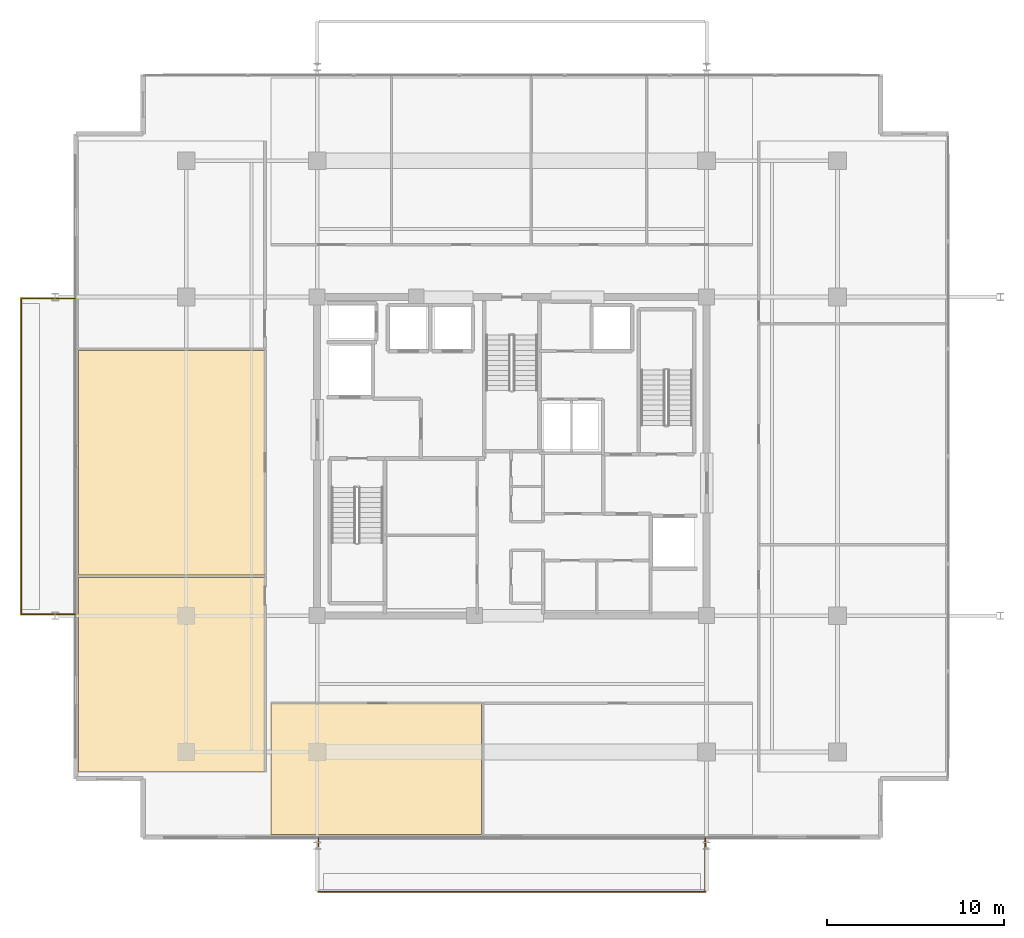
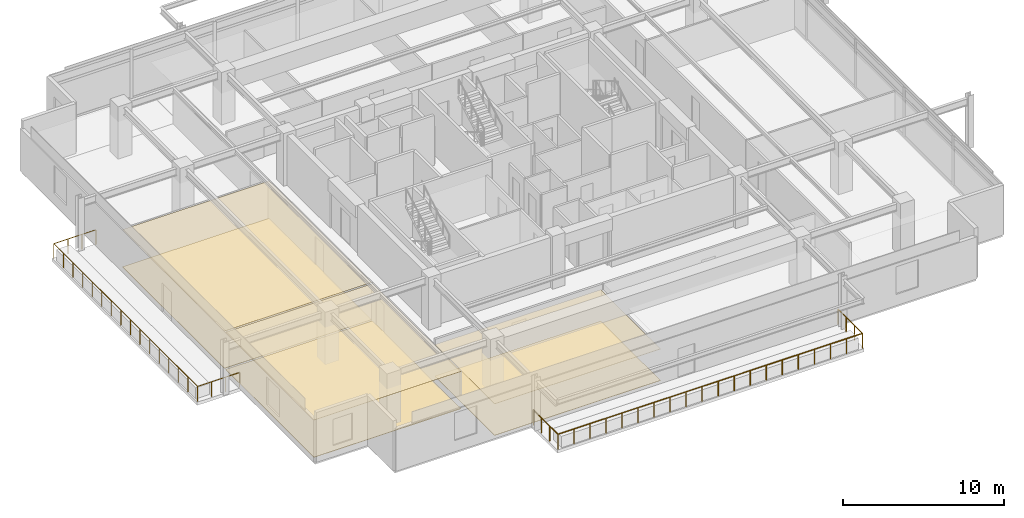
# One storey, part 18 of 21: 6 coverings, 2 railings.
"""IFC4 building model written with IfcOpenShell, lengths in metres."""

from ifc_helpers import new_model, si_unit, direction, frame, origin, origin_2d, place, context, subcontext, project, spatial, polyline, circle, outline, extrude, material, layer, layer_set, type_object, element, save


model = new_model("IFC4")

# Units and contexts
model_context = context("Model", 3, precision=1e-05, world=origin(), true_north=direction((0.0, 1.0)))
body_context = subcontext(model_context, "Body", "Model", "MODEL_VIEW")
ifc_project = project(units=[si_unit("LENGTHUNIT", "METRE"), si_unit("AREAUNIT", "SQUARE_METRE"), si_unit("VOLUMEUNIT", "CUBIC_METRE"), si_unit("PLANEANGLEUNIT", "RADIAN"), si_unit("MASSUNIT", "GRAM", prefix="KILO")], contexts=[model_context])

# Site, building, storey
site_placement = place(None, origin())
site = spatial("IfcSite", under=ifc_project, at=site_placement, CompositionType="ELEMENT")
building_placement = place(site_placement, origin())
building = spatial("IfcBuilding", under=site, at=building_placement, Name="Kovane Verandah Tower", CompositionType="ELEMENT")
storey_placement = place(building_placement, frame((0.0, 0.0, 314.800048828125)))
storey = spatial("IfcBuildingStorey", under=building, at=storey_placement, Name="L73", CompositionType="ELEMENT", Elevation=314.800048828125)

# Coverings
ifc_material_1 = material(Name="Perforated Acoustic Mineral-Fibre Ceiling Tile", Category="gypsum")
ifc_layer_1 = layer(ifc_material_1, 0.02490234375)
ifc_layer_set_1 = layer_set([ifc_layer_1], Name="Perforated Acoustic Mineral-Fibre Ceiling Tile")
covering_type_1 = type_object("IfcCoveringType", Name="CV-CEIL-25", PredefinedType="CEILING", material=ifc_layer_set_1)
covering_1_placement = place(storey_placement, frame((0.0, 0.0, 2.389892578125)))
element("IfcCovering", 1, at=covering_1_placement, inside=storey, type_object=covering_type_1, Name="L73 Collaboration Hub S1 Acoustic Ceiling", PredefinedType="CEILING", context=body_context, shape_type="SweptSolid", body=[
    extrude(outline(polyline([(26.39990234375, 6.1318359375), (38.298095703125, 6.1318359375), (38.298095703125, 13.550048828125), (26.39990234375, 13.550048828125), (26.39990234375, 6.1318359375)])), origin(), (0.0, 0.0, 1.0), 0.025146484375),
])
covering_2_placement = place(storey_placement, frame((0.0, 0.0, 2.824951171875)))
element("IfcCovering", 2, at=covering_2_placement, inside=storey, type_object=covering_type_1, Name="L73 Open Plan Office W1 Acoustic Ceiling", PredefinedType="CEILING", context=body_context, shape_type="SweptSolid", body=[
    extrude(outline(polyline([(15.513671875, 9.681884765625), (26.050048828125, 9.681884765625), (26.050048828125, 20.6591796875), (15.513671875, 20.6591796875), (15.513671875, 9.681884765625)])), origin(), (0.0, 0.0, 1.0), 0.02490234375),
])
covering_3_placement = place(storey_placement, frame((0.0, 0.0, 2.824951171875)))
element("IfcCovering", 3, at=covering_3_placement, inside=storey, type_object=covering_type_1, Name="L73 Executive Office W2 Acoustic Ceiling", PredefinedType="CEILING", context=body_context, shape_type="SweptSolid", body=[
    extrude(outline(polyline([(15.513671875, 20.799072265625), (26.050048828125, 20.799072265625), (26.050048828125, 33.48828125), (15.513671875, 33.48828125), (15.513671875, 20.799072265625)])), origin(), (0.0, 0.0, 1.0), 0.02490234375),
])
ifc_material_2 = material(Name="Polished Terrazzo and Raised-Access Carpet Tile Finish", Category="concrete")
ifc_layer_2 = layer(ifc_material_2, 0.030029296875)
ifc_layer_set_2 = layer_set([ifc_layer_2], Name="Polished Terrazzo and Raised-Access Carpet Tile Finish")
covering_type_2 = type_object("IfcCoveringType", Name="CV-FLOR-30", PredefinedType="FLOORING", material=ifc_layer_set_2)
covering_4_placement = place(storey_placement, origin())
element("IfcCovering", 4, at=covering_4_placement, inside=storey, type_object=covering_type_2, Name="L73 Collaboration Hub S1 Floor Finish", PredefinedType="FLOORING", context=body_context, shape_type="SweptSolid", body=[
    extrude(outline(polyline([(26.39990234375, 6.1318359375), (38.298095703125, 6.1318359375), (38.298095703125, 13.550048828125), (26.39990234375, 13.550048828125), (26.39990234375, 6.1318359375)])), origin(), (0.0, 0.0, 1.0), 0.030029296875),
])
covering_5_placement = place(storey_placement, origin())
element("IfcCovering", 5, at=covering_5_placement, inside=storey, type_object=covering_type_2, Name="L73 Open Plan Office W1 Floor Finish", PredefinedType="FLOORING", context=body_context, shape_type="SweptSolid", body=[
    extrude(outline(polyline([(15.513671875, 9.681884765625), (26.050048828125, 9.681884765625), (26.050048828125, 20.6591796875), (15.513671875, 20.6591796875), (15.513671875, 9.681884765625)])), origin(), (0.0, 0.0, 1.0), 0.030029296875),
])
covering_6_placement = place(storey_placement, origin())
element("IfcCovering", 6, at=covering_6_placement, inside=storey, type_object=covering_type_2, Name="L73 Executive Office W2 Floor Finish", PredefinedType="FLOORING", context=body_context, shape_type="SweptSolid", body=[
    extrude(outline(polyline([(15.513671875, 20.799072265625), (26.050048828125, 20.799072265625), (26.050048828125, 33.48828125), (15.513671875, 33.48828125), (15.513671875, 20.799072265625)])), origin(), (0.0, 0.0, 1.0), 0.030029296875),
])

# Railings
ifc_material_3 = material(Name="Laminated Glass and Pale-Champagne Stainless Balustrade", Category="glass")
railing_type = type_object("IfcRailingType", Name="RL-BAL-1150", PredefinedType="BALUSTRADE", material=ifc_material_3)
railing_1_placement = place(storey_placement, frame((29.080078125, 5.931884765625, 0.0)))
element("IfcRailing", 7, at=railing_1_placement, inside=storey, type_object=railing_type, Name="L73 S Verandah Glass Balustrade", PredefinedType="BALUSTRADE", context=body_context, shape_type="SweptSolid", body=[
    extrude(circle(Radius=0.02392578125, at=origin_2d()), frame((0.0, 0.0, 1.1259765625), z_axis=(0.0, -1.0, 0.0), x_axis=(1.0, 0.0, 0.0)), (0.0, 0.0, 1.0), 3.02001953125),
    extrude(circle(Radius=0.02392578125, at=origin_2d()), frame((0.0, -3.02001953125, 1.1259765625), z_axis=(1.0, 0.0, 0.0), x_axis=(0.0, 1.0, 0.0)), (0.0, 0.0, 1.0), 21.83984375),
    extrude(circle(Radius=0.02392578125, at=origin_2d()), frame((21.83984375, -3.02001953125, 1.1259765625), z_axis=(0.0, 1.0, 0.0), x_axis=(-1.0, 0.0, 0.0)), (0.0, 0.0, 1.0), 3.02001953125),
    extrude(circle(Radius=0.02099609375, at=origin_2d()), origin(), (0.0, 0.0, 1.0), 1.101806640625),
    extrude(circle(Radius=0.02099609375, at=origin_2d()), frame((0.0, -1.006591796875, 0.0)), (0.0, 0.0, 1.0), 1.101806640625),
    extrude(circle(Radius=0.02099609375, at=origin_2d()), frame((0.0, -2.013427734375, 0.0)), (0.0, 0.0, 1.0), 1.101806640625),
    extrude(circle(Radius=0.02099609375, at=origin_2d()), frame((0.0, -3.02001953125, 0.0)), (0.0, 0.0, 1.0), 1.101806640625),
    extrude(circle(Radius=0.02099609375, at=origin_2d()), frame((1.1494140625, -3.02001953125, 0.0)), (0.0, 0.0, 1.0), 1.101806640625),
    extrude(circle(Radius=0.02099609375, at=origin_2d()), frame((2.298828125, -3.02001953125, 0.0)), (0.0, 0.0, 1.0), 1.101806640625),
    extrude(circle(Radius=0.02099609375, at=origin_2d()), frame((3.448486328125, -3.02001953125, 0.0)), (0.0, 0.0, 1.0), 1.101806640625),
    extrude(circle(Radius=0.02099609375, at=origin_2d()), frame((4.597900390625, -3.02001953125, 0.0)), (0.0, 0.0, 1.0), 1.101806640625),
    extrude(circle(Radius=0.02099609375, at=origin_2d()), frame((5.747314453125, -3.02001953125, 0.0)), (0.0, 0.0, 1.0), 1.101806640625),
    extrude(circle(Radius=0.02099609375, at=origin_2d()), frame((6.896728515625, -3.02001953125, 0.0)), (0.0, 0.0, 1.0), 1.101806640625),
    extrude(circle(Radius=0.02099609375, at=origin_2d()), frame((8.046142578125, -3.02001953125, 0.0)), (0.0, 0.0, 1.0), 1.101806640625),
    extrude(circle(Radius=0.02099609375, at=origin_2d()), frame((9.19580078125, -3.02001953125, 0.0)), (0.0, 0.0, 1.0), 1.101806640625),
    extrude(circle(Radius=0.02099609375, at=origin_2d()), frame((10.34521484375, -3.02001953125, 0.0)), (0.0, 0.0, 1.0), 1.101806640625),
    extrude(circle(Radius=0.02099609375, at=origin_2d()), frame((11.49462890625, -3.02001953125, 0.0)), (0.0, 0.0, 1.0), 1.101806640625),
    extrude(circle(Radius=0.02099609375, at=origin_2d()), frame((12.64404296875, -3.02001953125, 0.0)), (0.0, 0.0, 1.0), 1.101806640625),
    extrude(circle(Radius=0.02099609375, at=origin_2d()), frame((13.793701171875, -3.02001953125, 0.0)), (0.0, 0.0, 1.0), 1.101806640625),
    extrude(circle(Radius=0.02099609375, at=origin_2d()), frame((14.943115234375, -3.02001953125, 0.0)), (0.0, 0.0, 1.0), 1.101806640625),
    extrude(circle(Radius=0.02099609375, at=origin_2d()), frame((16.092529296875, -3.02001953125, 0.0)), (0.0, 0.0, 1.0), 1.101806640625),
    extrude(circle(Radius=0.02099609375, at=origin_2d()), frame((17.241943359375, -3.02001953125, 0.0)), (0.0, 0.0, 1.0), 1.101806640625),
    extrude(circle(Radius=0.02099609375, at=origin_2d()), frame((18.391357421875, -3.02001953125, 0.0)), (0.0, 0.0, 1.0), 1.101806640625),
    extrude(circle(Radius=0.02099609375, at=origin_2d()), frame((19.541015625, -3.02001953125, 0.0)), (0.0, 0.0, 1.0), 1.101806640625),
    extrude(circle(Radius=0.02099609375, at=origin_2d()), frame((20.6904296875, -3.02001953125, 0.0)), (0.0, 0.0, 1.0), 1.101806640625),
    extrude(circle(Radius=0.02099609375, at=origin_2d()), frame((21.83984375, -3.02001953125, 0.0)), (0.0, 0.0, 1.0), 1.101806640625),
    extrude(circle(Radius=0.02099609375, at=origin_2d()), frame((21.83984375, -2.013427734375, 0.0)), (0.0, 0.0, 1.0), 1.101806640625),
    extrude(circle(Radius=0.02099609375, at=origin_2d()), frame((21.83984375, -1.006591796875, 0.0)), (0.0, 0.0, 1.0), 1.101806640625),
    extrude(circle(Radius=0.02099609375, at=origin_2d()), frame((21.83984375, 0.0, 0.0)), (0.0, 0.0, 1.0), 1.101806640625),
])
railing_2_placement = place(storey_placement, frame((15.313720703125, 18.580078125, 0.0)))
element("IfcRailing", 8, at=railing_2_placement, inside=storey, type_object=railing_type, Name="L73 W Verandah Glass Balustrade", PredefinedType="BALUSTRADE", context=body_context, shape_type="SweptSolid", body=[
    extrude(circle(Radius=0.02392578125, at=origin_2d()), frame((0.0, 0.0, 1.1259765625), z_axis=(-1.0, 0.0, 0.0), x_axis=(0.0, -1.0, 0.0)), (0.0, 0.0, 1.0), 3.02001953125),
    extrude(circle(Radius=0.02392578125, at=origin_2d()), frame((-3.02001953125, 0.0, 1.1259765625), z_axis=(0.0, 1.0, 0.0), x_axis=(-1.0, 0.0, 0.0)), (0.0, 0.0, 1.0), 17.83984375),
    extrude(circle(Radius=0.02392578125, at=origin_2d()), frame((-3.02001953125, 17.83984375, 1.1259765625), z_axis=(1.0, 0.0, 0.0), x_axis=(0.0, 1.0, 0.0)), (0.0, 0.0, 1.0), 3.02001953125),
    extrude(circle(Radius=0.02099609375, at=origin_2d()), origin(), (0.0, 0.0, 1.0), 1.101806640625),
    extrude(circle(Radius=0.02099609375, at=origin_2d()), frame((-1.006591796875, 0.0, 0.0)), (0.0, 0.0, 1.0), 1.101806640625),
    extrude(circle(Radius=0.02099609375, at=origin_2d()), frame((-2.013427734375, 0.0, 0.0)), (0.0, 0.0, 1.0), 1.101806640625),
    extrude(circle(Radius=0.02099609375, at=origin_2d()), frame((-3.02001953125, 0.0, 0.0)), (0.0, 0.0, 1.0), 1.101806640625),
    extrude(circle(Radius=0.02099609375, at=origin_2d()), frame((-3.02001953125, 1.189208984375, 0.0)), (0.0, 0.0, 1.0), 1.101806640625),
    extrude(circle(Radius=0.02099609375, at=origin_2d()), frame((-3.02001953125, 2.378662109375, 0.0)), (0.0, 0.0, 1.0), 1.101806640625),
    extrude(circle(Radius=0.02099609375, at=origin_2d()), frame((-3.02001953125, 3.56787109375, 0.0)), (0.0, 0.0, 1.0), 1.101806640625),
    extrude(circle(Radius=0.02099609375, at=origin_2d()), frame((-3.02001953125, 4.75732421875, 0.0)), (0.0, 0.0, 1.0), 1.101806640625),
    extrude(circle(Radius=0.02099609375, at=origin_2d()), frame((-3.02001953125, 5.946533203125, 0.0)), (0.0, 0.0, 1.0), 1.101806640625),
    extrude(circle(Radius=0.02099609375, at=origin_2d()), frame((-3.02001953125, 7.135986328125, 0.0)), (0.0, 0.0, 1.0), 1.101806640625),
    extrude(circle(Radius=0.02099609375, at=origin_2d()), frame((-3.02001953125, 8.3251953125, 0.0)), (0.0, 0.0, 1.0), 1.101806640625),
    extrude(circle(Radius=0.02099609375, at=origin_2d()), frame((-3.02001953125, 9.5146484375, 0.0)), (0.0, 0.0, 1.0), 1.101806640625),
    extrude(circle(Radius=0.02099609375, at=origin_2d()), frame((-3.02001953125, 10.703857421875, 0.0)), (0.0, 0.0, 1.0), 1.101806640625),
    extrude(circle(Radius=0.02099609375, at=origin_2d()), frame((-3.02001953125, 11.893310546875, 0.0)), (0.0, 0.0, 1.0), 1.101806640625),
    extrude(circle(Radius=0.02099609375, at=origin_2d()), frame((-3.02001953125, 13.08251953125, 0.0)), (0.0, 0.0, 1.0), 1.101806640625),
    extrude(circle(Radius=0.02099609375, at=origin_2d()), frame((-3.02001953125, 14.27197265625, 0.0)), (0.0, 0.0, 1.0), 1.101806640625),
    extrude(circle(Radius=0.02099609375, at=origin_2d()), frame((-3.02001953125, 15.461181640625, 0.0)), (0.0, 0.0, 1.0), 1.101806640625),
    extrude(circle(Radius=0.02099609375, at=origin_2d()), frame((-3.02001953125, 16.650634765625, 0.0)), (0.0, 0.0, 1.0), 1.101806640625),
    extrude(circle(Radius=0.02099609375, at=origin_2d()), frame((-3.02001953125, 17.83984375, 0.0)), (0.0, 0.0, 1.0), 1.101806640625),
    extrude(circle(Radius=0.02099609375, at=origin_2d()), frame((-2.013427734375, 17.83984375, 0.0)), (0.0, 0.0, 1.0), 1.101806640625),
    extrude(circle(Radius=0.02099609375, at=origin_2d()), frame((-1.006591796875, 17.83984375, 0.0)), (0.0, 0.0, 1.0), 1.101806640625),
    extrude(circle(Radius=0.02099609375, at=origin_2d()), frame((0.0, 17.83984375, 0.0)), (0.0, 0.0, 1.0), 1.101806640625),
])

save(model, "model.ifc")
